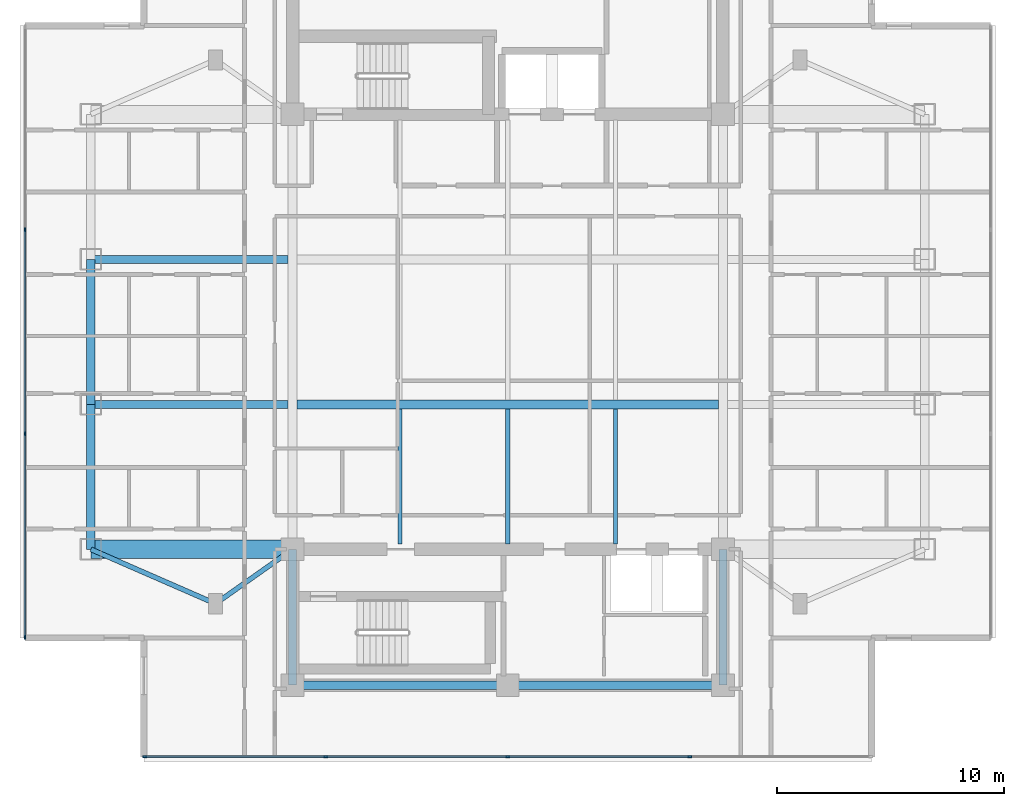
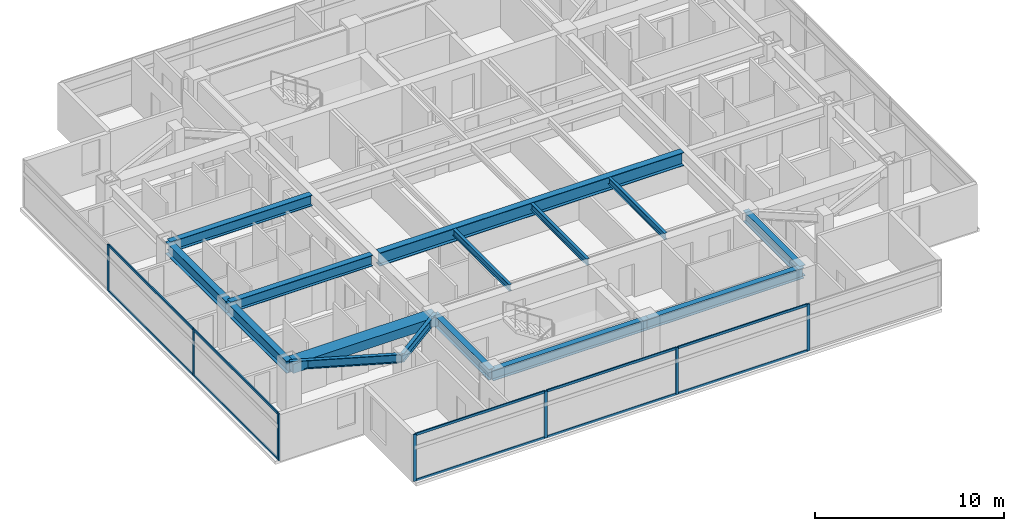
# One storey, part 2 of 25: 17 members, 15 beams, 2 elements without a shape of their own.
"""IFC4 building model written with IfcOpenShell, lengths in metres."""

from ifc_helpers import new_model, si_unit, direction, frame, origin, origin_2d, place, context, subcontext, project, spatial, rectangle, i_section, extrude, material, material_profile, profile_set, type_object, element, aggregate, save


model = new_model("IFC4")

# Units and contexts
model_context = context("Model", 3, precision=1e-05, world=origin(), true_north=direction((0.0, 1.0)))
body_context = subcontext(model_context, "Body", "Model", "MODEL_VIEW")
ifc_project = project(units=[si_unit("LENGTHUNIT", "METRE"), si_unit("AREAUNIT", "SQUARE_METRE"), si_unit("VOLUMEUNIT", "CUBIC_METRE"), si_unit("PLANEANGLEUNIT", "RADIAN"), si_unit("MASSUNIT", "GRAM", prefix="KILO")], contexts=[model_context])

# Site, building, storey
site_placement = place(None, origin())
site = spatial("IfcSite", under=ifc_project, at=site_placement, CompositionType="ELEMENT")
building_placement = place(site_placement, origin())
building = spatial("IfcBuilding", under=site, at=building_placement, Name="Mirazonda Arch Towers", CompositionType="ELEMENT")
storey_placement = place(building_placement, frame((0.0, 0.0, 173.89990234375)))
storey = spatial("IfcBuildingStorey", under=building, at=storey_placement, Name="L49", CompositionType="ELEMENT", Elevation=173.89990234375)

# Beams
ifc_material_1 = material(Name="Steel ASTM A992 Grade 50", Category="steel")
ifc_material_profile_1 = material_profile(ifc_material_1, i_section(OverallWidth=0.381103515625, OverallDepth=0.77294921875, WebThickness=0.0166015625, FlangeThickness=0.027099609375, at=origin_2d()), Name="W30X173")
ifc_profile_set_1 = profile_set([ifc_material_profile_1], Name="Steel ASTM A992 Grade 50")
beam_type_1 = type_object("IfcBeamType", Name="BM-EXT-W30X173", PredefinedType="USERDEFINED", material=ifc_profile_set_1)
beam_1_placement = place(storey_placement, frame((2.10009765625, 18.39990234375, 2.66357421875), z_axis=(0.0, 1.0, 0.0), x_axis=(-1.0, 0.0, 0.0)))
element("IfcBeam", 1, at=beam_1_placement, inside=storey, type_object=beam_type_1, Name="L49 Floor Beam BM-T1-L49-NS-W-18", ObjectType="GIRDER", PredefinedType="USERDEFINED", context=body_context, shape_type="SweptSolid", body=[
    extrude(i_section(OverallWidth=0.381103515625, OverallDepth=0.77294921875, WebThickness=0.0166015625, FlangeThickness=0.027099609375, at=origin_2d()), origin(), (0.0, 0.0, 1.0), 6.400146484375),
])
beam_2_placement = place(storey_placement, frame((2.10009765625, 24.800048828125, 2.66357421875), z_axis=(0.0, 1.0, 0.0), x_axis=(-1.0, 0.0, 0.0)))
element("IfcBeam", 2, at=beam_2_placement, inside=storey, type_object=beam_type_1, Name="L49 Floor Beam BM-T1-L49-NS-W-24", ObjectType="GIRDER", PredefinedType="USERDEFINED", context=body_context, shape_type="SweptSolid", body=[
    extrude(i_section(OverallWidth=0.381103515625, OverallDepth=0.77294921875, WebThickness=0.0166015625, FlangeThickness=0.027099609375, at=origin_2d()), origin(), (0.0, 0.0, 1.0), 6.39990234375),
])
ifc_material_profile_2 = material_profile(ifc_material_1, i_section(OverallWidth=0.180908203125, OverallDepth=0.4169921875, WebThickness=0.010986328125, FlangeThickness=0.018310546875, at=origin_2d()), Name="W16X57")
ifc_profile_set_2 = profile_set([ifc_material_profile_2], Name="Steel ASTM A992 Grade 50")
beam_type_2 = type_object("IfcBeamType", Name="BM-INT-W16X57", PredefinedType="JOIST", material=ifc_profile_set_2)
for number, where, z_axis, x_axis, name in (
    (3, (15.75, 18.639892578125, 2.841552734375), (0.0, 1.0, 0.0), (-1.0, 0.0, 0.0), "L49 Floor Beam BM-T1-L49-J-157-18"),
    (4, (20.5, 18.639892578125, 2.841552734375), (0.0, 1.0, 0.0), (-1.0, 0.0, 0.0), "L49 Floor Beam BM-T1-L49-J-205-18"),
    (5, (25.25, 18.639892578125, 2.841552734375), (0.0, 1.0, 0.0), (-1.0, 0.0, 0.0), "L49 Floor Beam BM-T1-L49-J-252-18"),
):
    element("IfcBeam", number, at=place(storey_placement, frame(where, z_axis=z_axis, x_axis=x_axis)), inside=storey, type_object=beam_type_2, Name=name, PredefinedType="JOIST", context=body_context, shape_type="SweptSolid", body=[
        extrude(i_section(OverallWidth=0.180908203125, OverallDepth=0.4169921875, WebThickness=0.010986328125, FlangeThickness=0.018310546875, at=origin_2d()), origin(), (0.0, 0.0, 1.0), 5.964111328125),
    ])
ifc_material_profile_3 = material_profile(ifc_material_1, i_section(OverallWidth=0.214111328125, OverallDepth=0.549072265625, WebThickness=0.0146484375, FlangeThickness=0.023681640625, at=origin_2d()), Name="W21X93")
ifc_profile_set_3 = profile_set([ifc_material_profile_3], Name="Steel ASTM A992 Grade 50")
beam_type_3 = type_object("IfcBeamType", Name="BM-INT-W21X93", PredefinedType="BEAM", material=ifc_profile_set_3)
beam_3_placement = place(storey_placement, frame((7.60009765625, 16.0, 2.775634765625), z_axis=(0.816971114901, 0.576678591087, 0.0), x_axis=(-0.576678591087, 0.816971114901, 0.0)))
element("IfcBeam", 6, at=beam_3_placement, inside=storey, type_object=beam_type_3, Name="L49 Floor Beam BM-T1-L49-PL-SW1", PredefinedType="BEAM", context=body_context, shape_type="SweptSolid", body=[
    extrude(i_section(OverallWidth=0.214111328125, OverallDepth=0.549072265625, WebThickness=0.0146484375, FlangeThickness=0.023681640625, at=origin_2d()), origin(), (0.0, 0.0, 1.0), 4.16162109375),
])
beam_4_placement = place(storey_placement, frame((7.60009765625, 16.0, 2.775634765625), z_axis=(-0.916545343703, 0.399930785183, 0.0), x_axis=(-0.399930785183, -0.916545343703, 0.0)))
element("IfcBeam", 7, at=beam_4_placement, inside=storey, type_object=beam_type_3, Name="L49 Floor Beam BM-T1-L49-PL-SW2", PredefinedType="BEAM", context=body_context, shape_type="SweptSolid", body=[
    extrude(i_section(OverallWidth=0.214111328125, OverallDepth=0.549072265625, WebThickness=0.0146484375, FlangeThickness=0.023681640625, at=origin_2d()), origin(), (0.0, 0.0, 1.0), 6.000732421875),
])
ifc_material_profile_4 = material_profile(ifc_material_1, i_section(OverallWidth=0.35498046875, OverallDepth=0.696044921875, WebThickness=0.015380859375, FlangeThickness=0.02490234375, at=origin_2d()), Name="W27X146")
ifc_profile_set_4 = profile_set([ifc_material_profile_4], Name="Steel ASTM A992 Grade 50")
beam_type_4 = type_object("IfcBeamType", Name="BM-INT-W27X146", PredefinedType="BEAM", material=ifc_profile_set_4)
for number, where, z_axis, x_axis, name in (
    (8, (2.10009765625, 24.800048828125, 2.7021484375), (1.0, 0.0, 0.0), (0.0, 1.0, 0.0), "L49 Floor Beam BM-T1-L49-GW2"),
    (9, (2.10009765625, 31.199951171875, 2.7021484375), (1.0, 0.0, 0.0), (0.0, 1.0, 0.0), "L49 Floor Beam BM-T1-L49-GW3"),
):
    element("IfcBeam", number, at=place(storey_placement, frame(where, z_axis=z_axis, x_axis=x_axis)), inside=storey, type_object=beam_type_4, Name=name, PredefinedType="BEAM", context=body_context, shape_type="SweptSolid", body=[
        extrude(i_section(OverallWidth=0.35498046875, OverallDepth=0.696044921875, WebThickness=0.015380859375, FlangeThickness=0.02490234375, at=origin_2d()), origin(), (0.0, 0.0, 1.0), 8.699951171875),
    ])
for number, where, z_axis, x_axis, name in (
    (10, (11.0, 12.39990234375, 2.7021484375), (1.0, 0.0, 0.0), (0.0, 1.0, 0.0), "L49 Floor Beam BM-T1-L49-CS1"),
    (11, (20.5, 12.39990234375, 2.7021484375), (1.0, 0.0, 0.0), (0.0, 1.0, 0.0), "L49 Floor Beam BM-T1-L49-CS2"),
):
    element("IfcBeam", number, at=place(storey_placement, frame(where, z_axis=z_axis, x_axis=x_axis)), inside=storey, type_object=beam_type_4, Name=name, PredefinedType="BEAM", context=body_context, shape_type="SweptSolid", body=[
        extrude(i_section(OverallWidth=0.35498046875, OverallDepth=0.696044921875, WebThickness=0.015380859375, FlangeThickness=0.02490234375, at=origin_2d()), origin(), (0.0, 0.0, 1.0), 9.5),
    ])
for number, where, z_axis, x_axis, name in (
    (12, (11.0, 12.39990234375, 2.7021484375), (0.0, 1.0, 0.0), (-1.0, 0.0, 0.0), "L49 Floor Beam BM-T1-L49-CSW"),
    (13, (30.0, 12.39990234375, 2.7021484375), (0.0, 1.0, 0.0), (-1.0, 0.0, 0.0), "L49 Floor Beam BM-T1-L49-CSE"),
):
    element("IfcBeam", number, at=place(storey_placement, frame(where, z_axis=z_axis, x_axis=x_axis)), inside=storey, type_object=beam_type_4, Name=name, PredefinedType="BEAM", context=body_context, shape_type="SweptSolid", body=[
        extrude(i_section(OverallWidth=0.35498046875, OverallDepth=0.696044921875, WebThickness=0.015380859375, FlangeThickness=0.02490234375, at=origin_2d()), origin(), (0.0, 0.0, 1.0), 6.0),
    ])
ifc_material_profile_5 = material_profile(ifc_material_1, i_section(OverallWidth=0.39990234375, OverallDepth=0.85595703125, WebThickness=0.018310546875, FlangeThickness=0.029296875, at=origin_2d()), Name="W33X201")
ifc_profile_set_5 = profile_set([ifc_material_profile_5], Name="Steel ASTM A992 Grade 50")
beam_type_5 = type_object("IfcBeamType", Name="BM-INT-W33X201", PredefinedType="USERDEFINED", material=ifc_profile_set_5)
beam_5_placement = place(storey_placement, frame((11.199951171875, 24.800048828125, 2.6220703125), z_axis=(1.0, 0.0, 0.0), x_axis=(0.0, 1.0, 0.0)))
element("IfcBeam", 14, at=beam_5_placement, inside=storey, type_object=beam_type_5, Name="L49 Floor Beam BM-T1-L49-GC2", ObjectType="GIRDER", PredefinedType="USERDEFINED", context=body_context, shape_type="SweptSolid", body=[
    extrude(i_section(OverallWidth=0.39990234375, OverallDepth=0.85595703125, WebThickness=0.018310546875, FlangeThickness=0.029296875, at=origin_2d()), origin(), (0.0, 0.0, 1.0), 18.60009765625),
])
ifc_material_2 = material(Name="Concrete C60/75", Category="concrete")
ifc_material_profile_6 = material_profile(ifc_material_2, rectangle(XDim=0.800048828125, YDim=0.60009765625, at=origin_2d()), Name="RCCB800x600")
ifc_profile_set_6 = profile_set([ifc_material_profile_6], Name="Concrete C60/75")
beam_type_6 = type_object("IfcBeamType", Name="CB-INT-RCCB800x600", PredefinedType="SPANDREL", material=ifc_profile_set_6)
beam_6_placement = place(storey_placement, frame((2.10009765625, 18.39990234375, 2.75), z_axis=(1.0, 0.0, 0.0), x_axis=(0.0, 1.0, 0.0)))
element("IfcBeam", 15, at=beam_6_placement, inside=storey, type_object=beam_type_6, Name="L49 Floor Beam CBC-T1-L49-SW", PredefinedType="SPANDREL", context=body_context, shape_type="SweptSolid", body=[
    extrude(rectangle(XDim=0.800048828125, YDim=0.60009765625, at=origin_2d()), origin(), (0.0, 0.0, 1.0), 8.89990234375),
])

# Curtain wall, members
ifc_material_3 = material(Name="Anodised Aluminium and Low-E Glass", Category="aluminium")
curtain_wall_type = type_object("IfcCurtainWallType", Name="CW-RES-UNIT", PredefinedType="NOTDEFINED", material=ifc_material_3)
curtain_wall_1_placement = place(storey_placement, origin())
curtain_wall_1 = element("IfcCurtainWall", 16, at=curtain_wall_1_placement, inside=storey, type_object=curtain_wall_type, Name="L49 T1 S Facade CW-L49-T1-S", PredefinedType="NOTDEFINED")
ifc_material_4 = material(Name="Anodised Aluminium Alloy", Category="aluminium")
ifc_material_profile_7 = material_profile(ifc_material_4, rectangle(XDim=0.074951171875, YDim=0.175048828125, at=origin_2d()), Name="ALU-MULL-75x175")
ifc_profile_set_7 = profile_set([ifc_material_profile_7], Name="Anodised Aluminium Alloy")
member_type_1 = type_object("IfcMemberType", Name="MULL-CW-RES-UNIT", PredefinedType="MULLION", material=ifc_profile_set_7)
member_1_placement = place(storey_placement, frame((28.532470703125, 9.241943359375, 0.0), z_axis=(0.0, 0.0, 1.0), x_axis=(0.0, -1.0, 0.0)))
member_1 = element("IfcMember", 17, at=member_1_placement, type_object=member_type_1, Name="CW-104 mullion 2", PredefinedType="MULLION", context=body_context, shape_type="SweptSolid", body=[
    extrude(rectangle(XDim=0.074951171875, YDim=0.175048828125, at=origin_2d()), origin(), (0.0, 0.0, 1.0), 3.030029296875),
])
member_2_placement = place(storey_placement, frame((20.5, 9.241943359375, 0.0), z_axis=(0.0, 0.0, 1.0), x_axis=(0.0, -1.0, 0.0)))
member_2 = element("IfcMember", 18, at=member_2_placement, type_object=member_type_1, Name="CW-104 mullion 3", PredefinedType="MULLION", context=body_context, shape_type="SweptSolid", body=[
    extrude(rectangle(XDim=0.074951171875, YDim=0.175048828125, at=origin_2d()), origin(), (0.0, 0.0, 1.0), 3.030029296875),
])
member_3_placement = place(storey_placement, frame((12.467529296875, 9.241943359375, 0.0), z_axis=(0.0, 0.0, 1.0), x_axis=(0.0, -1.0, 0.0)))
member_3 = element("IfcMember", 19, at=member_3_placement, type_object=member_type_1, Name="CW-104 mullion 4", PredefinedType="MULLION", context=body_context, shape_type="SweptSolid", body=[
    extrude(rectangle(XDim=0.074951171875, YDim=0.175048828125, at=origin_2d()), origin(), (0.0, 0.0, 1.0), 3.030029296875),
])
member_4_placement = place(storey_placement, frame((4.472412109375, 9.241943359375, 0.0), z_axis=(0.0, 0.0, 1.0), x_axis=(0.0, -1.0, 0.0)))
member_4 = element("IfcMember", 20, at=member_4_placement, type_object=member_type_1, Name="CW-104 mullion 5", PredefinedType="MULLION", context=body_context, shape_type="SweptSolid", body=[
    extrude(rectangle(XDim=0.074951171875, YDim=0.175048828125, at=origin_2d()), origin(), (0.0, 0.0, 1.0), 3.030029296875),
])

curtain_wall_2_placement = place(storey_placement, origin())
curtain_wall_2 = element("IfcCurtainWall", 21, at=curtain_wall_2_placement, inside=storey, type_object=curtain_wall_type, Name="L49 T1 W Facade CW-L49-T1-W", PredefinedType="NOTDEFINED")
member_5_placement = place(storey_placement, frame((-0.81005859375, 32.50439453125, 0.0), z_axis=(0.0, 0.0, 1.0), x_axis=(1.0, 0.0, 0.0)))
member_5 = element("IfcMember", 22, at=member_5_placement, type_object=member_type_1, Name="CW-104 mullion 2", PredefinedType="MULLION", context=body_context, shape_type="SweptSolid", body=[
    extrude(rectangle(XDim=0.074951171875, YDim=0.175048828125, at=origin_2d()), origin(), (0.0, 0.0, 1.0), 3.030029296875),
])
member_6_placement = place(storey_placement, frame((-0.81005859375, 23.49560546875, 0.0), z_axis=(0.0, 0.0, 1.0), x_axis=(1.0, 0.0, 0.0)))
member_6 = element("IfcMember", 23, at=member_6_placement, type_object=member_type_1, Name="CW-104 mullion 3", PredefinedType="MULLION", context=body_context, shape_type="SweptSolid", body=[
    extrude(rectangle(XDim=0.074951171875, YDim=0.175048828125, at=origin_2d()), origin(), (0.0, 0.0, 1.0), 3.030029296875),
])
member_7_placement = place(storey_placement, frame((-0.81005859375, 14.5244140625, 0.0), z_axis=(0.0, 0.0, 1.0), x_axis=(1.0, 0.0, 0.0)))
member_7 = element("IfcMember", 24, at=member_7_placement, type_object=member_type_1, Name="CW-104 mullion 4", PredefinedType="MULLION", context=body_context, shape_type="SweptSolid", body=[
    extrude(rectangle(XDim=0.074951171875, YDim=0.175048828125, at=origin_2d()), origin(), (0.0, 0.0, 1.0), 3.030029296875),
])

# Member
ifc_material_profile_8 = material_profile(ifc_material_4, rectangle(XDim=0.074951171875, YDim=0.155029296875, at=origin_2d()), Name="ALU-TRAN-75x155")
ifc_profile_set_8 = profile_set([ifc_material_profile_8], Name="Anodised Aluminium Alloy")
member_type_2 = type_object("IfcMemberType", Name="TRAN-CW-RES-UNIT", PredefinedType="USERDEFINED", material=ifc_profile_set_8)
member_8_placement = place(storey_placement, frame((28.4951171875, 9.241943359375, 0.03759765625), z_axis=(-1.0, 0.0, 0.0), x_axis=(0.0, -1.0, 0.0)))
member_8 = element("IfcMember", 25, at=member_8_placement, type_object=member_type_2, Name="CW-104 transom 2.1", ObjectType="TRANSOM", PredefinedType="USERDEFINED", context=body_context, shape_type="SweptSolid", body=[
    extrude(rectangle(XDim=0.074951171875, YDim=0.155029296875, at=origin_2d()), origin(), (0.0, 0.0, 1.0), 7.95751953125),
])

member_9_placement = place(storey_placement, frame((28.4951171875, 9.241943359375, 2.99267578125), z_axis=(-1.0, 0.0, 0.0), x_axis=(0.0, -1.0, 0.0)))
member_9 = element("IfcMember", 26, at=member_9_placement, type_object=member_type_2, Name="CW-104 transom 2.2", ObjectType="TRANSOM", PredefinedType="USERDEFINED", context=body_context, shape_type="SweptSolid", body=[
    extrude(rectangle(XDim=0.074951171875, YDim=0.155029296875, at=origin_2d()), origin(), (0.0, 0.0, 1.0), 7.95751953125),
])

member_10_placement = place(storey_placement, frame((20.46240234375, 9.241943359375, 0.03759765625), z_axis=(-1.0, 0.0, 0.0), x_axis=(0.0, -1.0, 0.0)))
member_10 = element("IfcMember", 27, at=member_10_placement, type_object=member_type_2, Name="CW-104 transom 3.1", ObjectType="TRANSOM", PredefinedType="USERDEFINED", context=body_context, shape_type="SweptSolid", body=[
    extrude(rectangle(XDim=0.074951171875, YDim=0.155029296875, at=origin_2d()), origin(), (0.0, 0.0, 1.0), 7.95751953125),
])

member_11_placement = place(storey_placement, frame((20.46240234375, 9.241943359375, 2.99267578125), z_axis=(-1.0, 0.0, 0.0), x_axis=(0.0, -1.0, 0.0)))
member_11 = element("IfcMember", 28, at=member_11_placement, type_object=member_type_2, Name="CW-104 transom 3.2", ObjectType="TRANSOM", PredefinedType="USERDEFINED", context=body_context, shape_type="SweptSolid", body=[
    extrude(rectangle(XDim=0.074951171875, YDim=0.155029296875, at=origin_2d()), origin(), (0.0, 0.0, 1.0), 7.95751953125),
])

member_12_placement = place(storey_placement, frame((12.429931640625, 9.241943359375, 0.03759765625), z_axis=(-1.0, 0.0, 0.0), x_axis=(0.0, -1.0, 0.0)))
member_12 = element("IfcMember", 29, at=member_12_placement, type_object=member_type_2, Name="CW-104 transom 4.1", ObjectType="TRANSOM", PredefinedType="USERDEFINED", context=body_context, shape_type="SweptSolid", body=[
    extrude(rectangle(XDim=0.074951171875, YDim=0.155029296875, at=origin_2d()), origin(), (0.0, 0.0, 1.0), 7.919921875),
])

member_13_placement = place(storey_placement, frame((12.429931640625, 9.241943359375, 2.99267578125), z_axis=(-1.0, 0.0, 0.0), x_axis=(0.0, -1.0, 0.0)))
member_13 = element("IfcMember", 30, at=member_13_placement, type_object=member_type_2, Name="CW-104 transom 4.2", ObjectType="TRANSOM", PredefinedType="USERDEFINED", context=body_context, shape_type="SweptSolid", body=[
    extrude(rectangle(XDim=0.074951171875, YDim=0.155029296875, at=origin_2d()), origin(), (0.0, 0.0, 1.0), 7.919921875),
])

aggregate(curtain_wall_1, [member_1, member_2, member_3, member_4, member_8, member_9, member_10, member_11, member_12, member_13])

member_14_placement = place(storey_placement, frame((-0.81005859375, 32.466796875, 0.03759765625), z_axis=(0.0, -1.0, 0.0), x_axis=(1.0, 0.0, 0.0)))
member_14 = element("IfcMember", 31, at=member_14_placement, type_object=member_type_2, Name="CW-104 transom 2.1", ObjectType="TRANSOM", PredefinedType="USERDEFINED", context=body_context, shape_type="SweptSolid", body=[
    extrude(rectangle(XDim=0.074951171875, YDim=0.155029296875, at=origin_2d()), origin(), (0.0, 0.0, 1.0), 8.93359375),
])

member_15_placement = place(storey_placement, frame((-0.81005859375, 32.466796875, 2.99267578125), z_axis=(0.0, -1.0, 0.0), x_axis=(1.0, 0.0, 0.0)))
member_15 = element("IfcMember", 32, at=member_15_placement, type_object=member_type_2, Name="CW-104 transom 2.2", ObjectType="TRANSOM", PredefinedType="USERDEFINED", context=body_context, shape_type="SweptSolid", body=[
    extrude(rectangle(XDim=0.074951171875, YDim=0.155029296875, at=origin_2d()), origin(), (0.0, 0.0, 1.0), 8.93359375),
])

member_16_placement = place(storey_placement, frame((-0.81005859375, 23.458251953125, 0.03759765625), z_axis=(0.0, -1.0, 0.0), x_axis=(1.0, 0.0, 0.0)))
member_16 = element("IfcMember", 33, at=member_16_placement, type_object=member_type_2, Name="CW-104 transom 3.1", ObjectType="TRANSOM", PredefinedType="USERDEFINED", context=body_context, shape_type="SweptSolid", body=[
    extrude(rectangle(XDim=0.074951171875, YDim=0.155029296875, at=origin_2d()), origin(), (0.0, 0.0, 1.0), 8.896240234375),
])

member_17_placement = place(storey_placement, frame((-0.81005859375, 23.458251953125, 2.99267578125), z_axis=(0.0, -1.0, 0.0), x_axis=(1.0, 0.0, 0.0)))
member_17 = element("IfcMember", 34, at=member_17_placement, type_object=member_type_2, Name="CW-104 transom 3.2", ObjectType="TRANSOM", PredefinedType="USERDEFINED", context=body_context, shape_type="SweptSolid", body=[
    extrude(rectangle(XDim=0.074951171875, YDim=0.155029296875, at=origin_2d()), origin(), (0.0, 0.0, 1.0), 8.896240234375),
])

aggregate(curtain_wall_2, [member_5, member_6, member_7, member_14, member_15, member_16, member_17])

save(model, "model.ifc")
